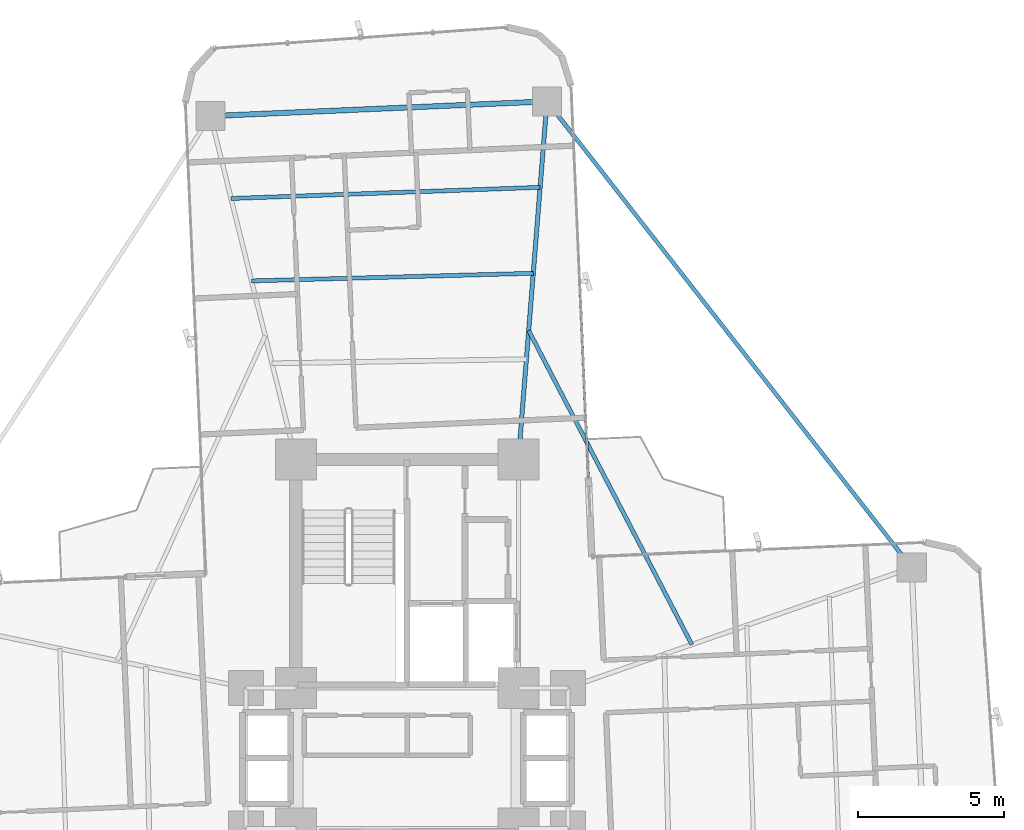
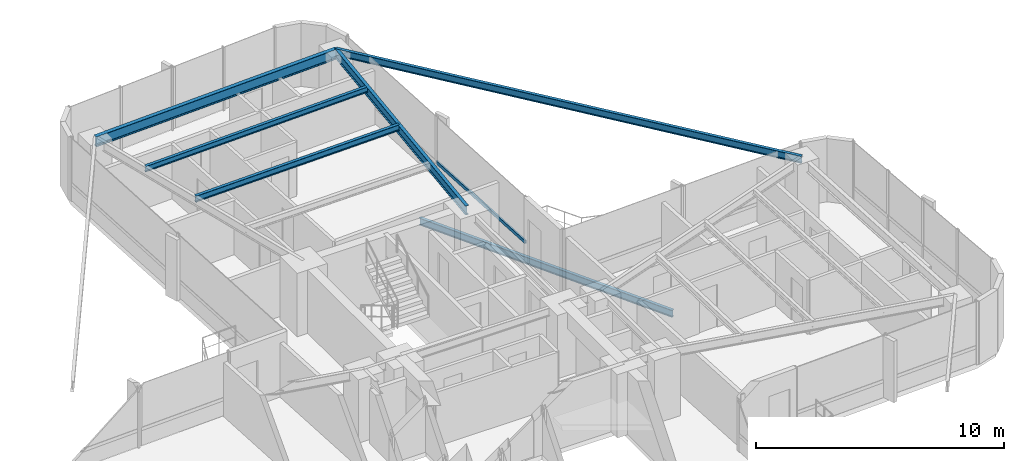
# One storey, part 18 of 26: 6 beams, 1 member, 1 element without a shape of its own.
"""IFC4 building model written with IfcOpenShell, lengths in metres."""

import ifcopenshell
import ifcopenshell.guid

model = None  # the IFC model being written
_history = None  # IfcOwnerHistory: only IFC2X3 demands one
_inside = {}  # id of a spatial element -> (the spatial element, [elements in it])
_under = {}  # id of a project, library or spatial element -> (it, [spatial elements below it])
_declared = {}  # id of a project -> (the project, [libraries it declares])
_typed = {}  # id of a type object -> (the type object, [elements of that type])
_made_of = {}  # id of a material, layer set ... -> (it, [elements and type objects made of it])


def new_model(schema):
    """Start an empty IFC model of exactly this schema.

    Asked for "IFC4X3", IfcOpenShell would pick the latest addendum, in which some entities
    have other attributes; the version numbers below select the first issue.
    IFC2X3 requires an IfcOwnerHistory on every rooted entity: one is made here for all.
    """
    global model, _history
    if schema == "IFC4X3":
        model = ifcopenshell.file(schema_version=(4, 3, 0, 0))
    else:
        model = ifcopenshell.file(schema=schema)
    _inside.clear()
    _under.clear()
    _declared.clear()
    _typed.clear()
    _made_of.clear()
    _history = None
    if model.schema == "IFC2X3":
        org = make("IfcOrganization", Name="unknown")
        user = make(
            "IfcPersonAndOrganization",
            ThePerson=make("IfcPerson", FamilyName="unknown"),
            TheOrganization=org,
        )
        app = make(
            "IfcApplication",
            ApplicationDeveloper=org,
            Version="unknown",
            ApplicationFullName="unknown",
            ApplicationIdentifier="unknown",
        )
        _history = make(
            "IfcOwnerHistory",
            OwningUser=user,
            OwningApplication=app,
            ChangeAction="ADDED",
            CreationDate=0,
        )
    return model


def make(cls, **values):
    """One entity of the class cls with the attributes given. An attribute that is None is left unset."""
    return model.create_entity(
        cls, **{name: value for name, value in values.items() if value is not None}
    )


def rooted(cls, **values):
    """An entity with a GlobalId (a new one), such as an element, a storey or a relation."""
    return make(cls, GlobalId=ifcopenshell.guid.new(), OwnerHistory=_history, **values)


def si_unit(unit_type, name, prefix=None):
    """IfcSIUnit, for example si_unit("LENGTHUNIT", "METRE", prefix="MILLI")."""
    return make("IfcSIUnit", UnitType=unit_type, Prefix=prefix, Name=name)


def assignment(units):
    """IfcUnitAssignment: the units of a project."""
    return None if units is None else make("IfcUnitAssignment", Units=units)


def point(xyz):
    """IfcCartesianPoint."""
    return None if xyz is None else make("IfcCartesianPoint", Coordinates=xyz)


def direction(xyz):
    """IfcDirection."""
    return None if xyz is None else make("IfcDirection", DirectionRatios=xyz)


def frame(location, z_axis=None, x_axis=None):
    """IfcAxis2Placement3D, a coordinate frame: its origin and axes. An axis left out is left unset."""
    return make(
        "IfcAxis2Placement3D",
        Location=point(location),
        Axis=direction(z_axis),
        RefDirection=direction(x_axis),
    )


def frame_2d(location, x_axis=None):
    """IfcAxis2Placement2D, a coordinate frame in the plane: its origin and x axis."""
    return make(
        "IfcAxis2Placement2D", Location=point(location), RefDirection=direction(x_axis)
    )


def origin():
    """The frame at (0, 0, 0) with its axes left unset."""
    return frame((0.0, 0.0, 0.0))


def origin_2d():
    """The frame at (0, 0) in the plane with its x axis left unset."""
    return frame_2d((0.0, 0.0))


def place(relative_to, where):
    """IfcLocalPlacement: puts the frame where relative to a parent placement (None: the world)."""
    return make(
        "IfcLocalPlacement", PlacementRelTo=relative_to, RelativePlacement=where
    )


def context(
    kind, dimensions, precision=None, world=None, true_north=None, identifier=None
):
    """IfcGeometricRepresentationContext, for example the 3D "Model" context."""
    return make(
        "IfcGeometricRepresentationContext",
        ContextIdentifier=identifier,
        ContextType=kind,
        CoordinateSpaceDimension=dimensions,
        Precision=precision,
        WorldCoordinateSystem=world,
        TrueNorth=true_north,
    )


def subcontext(parent, identifier, kind, view, scale=None):
    """IfcGeometricRepresentationSubContext, for example "Body" below "Model"."""
    return make(
        "IfcGeometricRepresentationSubContext",
        ContextIdentifier=identifier,
        ContextType=kind,
        ParentContext=parent,
        TargetScale=scale,
        TargetView=view,
    )


def project(units=None, contexts=None):
    """IfcProject with its units and contexts."""
    return rooted(
        "IfcProject",
        Name="project",
        RepresentationContexts=contexts,
        UnitsInContext=assignment(units),
    )


def spatial(cls, under=None, at=None, **own):
    """A site, building, storey or space (cls), placed at a placement, below another one or the project."""
    s = rooted(cls, ObjectPlacement=at, **own)
    if under is not None:
        _under.setdefault(under.id(), (under, []))[1].append(s)
    return s


def profile(cls, at=None, kind="AREA", **sizes):
    """A parametric profile (cls). Its sizes go by their IFC names, for example OverallWidth=200.0."""
    return make(cls, ProfileType=kind, Position=at, **sizes)


def hollow_rectangle(**sizes):
    """IfcRectangleHollowProfileDef."""
    return profile("IfcRectangleHollowProfileDef", **sizes)


def i_section(**sizes):
    """IfcIShapeProfileDef."""
    return profile("IfcIShapeProfileDef", **sizes)


def extrude(swept, where, along, depth):
    """IfcExtrudedAreaSolid: the profile swept, set in the frame where, extruded along a direction by depth."""
    return make(
        "IfcExtrudedAreaSolid",
        SweptArea=swept,
        Position=where,
        ExtrudedDirection=direction(along),
        Depth=depth,
    )


def shape(context_of_items, identifier, shape_type, items):
    """IfcShapeRepresentation: the items that make up one representation, for example the "Body"."""
    return make(
        "IfcShapeRepresentation",
        ContextOfItems=context_of_items,
        RepresentationIdentifier=identifier,
        RepresentationType=shape_type,
        Items=items,
    )


def source(mapping_origin, context_of_items, identifier, shape_type, items):
    """IfcRepresentationMap: a shape defined once, which mapped items show again and again."""
    return make(
        "IfcRepresentationMap",
        MappingOrigin=mapping_origin,
        MappedRepresentation=shape(context_of_items, identifier, shape_type, items),
    )


def transform(
    local_origin,
    x_axis=None,
    y_axis=None,
    z_axis=None,
    scale=None,
    scale2=None,
    scale3=None,
    uniform=True,
):
    """IfcCartesianTransformationOperator3D, or its non-uniform kind. x_axis, y_axis, z_axis: its Axis1, 2, 3."""
    if uniform:
        return make(
            "IfcCartesianTransformationOperator3D",
            Axis1=direction(x_axis),
            Axis2=direction(y_axis),
            LocalOrigin=point(local_origin),
            Scale=scale,
            Axis3=direction(z_axis),
        )
    return make(
        "IfcCartesianTransformationOperator3DnonUniform",
        Axis1=direction(x_axis),
        Axis2=direction(y_axis),
        LocalOrigin=point(local_origin),
        Scale=scale,
        Axis3=direction(z_axis),
        Scale2=scale2,
        Scale3=scale3,
    )


def mapped(mapping_source, mapping_target):
    """IfcMappedItem: shows the shape of a source again, moved by a transform."""
    return make(
        "IfcMappedItem", MappingSource=mapping_source, MappingTarget=mapping_target
    )


def material(Name=None, Category=None):
    """IfcMaterial."""
    return make("IfcMaterial", Name=Name, Category=Category)


def material_profile(
    of_material, cross_section, Name=None, Category=None, Priority=None
):
    """IfcMaterialProfile: a cross section and its material."""
    return make(
        "IfcMaterialProfile",
        Name=Name,
        Material=of_material,
        Profile=cross_section,
        Priority=Priority,
        Category=Category,
    )


def profile_set(profiles, Name=None, composite=None):
    """IfcMaterialProfileSet."""
    return make(
        "IfcMaterialProfileSet",
        Name=Name,
        MaterialProfiles=profiles,
        CompositeProfile=composite,
    )


def made_of(thing, what):
    """Note that an element or type object is made of a material, layer set ...; save() writes the relation."""
    if what is not None:
        _made_of.setdefault(what.id(), (what, []))[1].append(thing)
    return thing


def type_object(cls, material=None, **own):
    """A type object (cls), such as IfcWallType, which elements share."""
    return made_of(rooted(cls, **own), material)


def element(
    cls,
    number,
    at=None,
    inside=None,
    cuts=None,
    type_object=None,
    material=None,
    context=None,
    identifier="Body",
    shape_type=None,
    held_by="IfcProductDefinitionShape",
    body=None,
    shapes=None,
    **own,
):
    """One element of the class cls, such as IfcWall. Its Tag is "e" and its number.

    at: its placement. inside: the storey or other place that contains it. cuts: it is an
    opening in that element (IfcRelVoidsElement). A single representation is given by context,
    identifier, shape_type and body (its items); several are given by shapes. held_by: the class
    of the entity that holds the representations. save() writes the other relations.
    """
    e = rooted(cls, Tag="e%d" % number, ObjectPlacement=at, **own)
    if body is not None:
        shapes = [shape(context, identifier, shape_type, body)]
    if shapes is not None:
        e.Representation = make(held_by, Representations=shapes)
    if inside is not None:
        _inside.setdefault(inside.id(), (inside, []))[1].append(e)
    if cuts is not None:
        rooted(
            "IfcRelVoidsElement", RelatingBuildingElement=cuts, RelatedOpeningElement=e
        )
    if type_object is not None:
        _typed.setdefault(type_object.id(), (type_object, []))[1].append(e)
    return made_of(e, material)


def aggregate(whole, parts):
    """IfcRelAggregates: a whole, such as a stair, and the parts it consists of."""
    return rooted("IfcRelAggregates", RelatingObject=whole, RelatedObjects=parts)


def save(model, path):
    """Write the relations noted so far, then the file.

    IfcRelAggregates (storeys below a building ...), IfcRelContainedInSpatialStructure (elements
    in a storey), IfcRelDefinesByType, IfcRelAssociatesMaterial and IfcRelDeclares: one each for
    every whole, place, type object, material and project.
    """
    for whole, parts in _under.values():
        aggregate(whole, parts)
    for where, things in _inside.values():
        rooted(
            "IfcRelContainedInSpatialStructure",
            RelatedElements=things,
            RelatingStructure=where,
        )
    for kind, things in _typed.values():
        rooted("IfcRelDefinesByType", RelatedObjects=things, RelatingType=kind)
    for what, things in _made_of.values():
        rooted("IfcRelAssociatesMaterial", RelatedObjects=things, RelatingMaterial=what)
    for by, libraries in _declared.values():
        rooted("IfcRelDeclares", RelatingContext=by, RelatedDefinitions=libraries)
    model.write(path)


model = new_model("IFC4")

# Units and contexts
model_context = context("Model", 3, precision=1e-05, world=origin(), true_north=direction((0.0, 1.0)))
body_context = subcontext(model_context, "Body", "Model", "MODEL_VIEW")
ifc_project = project(units=[si_unit("LENGTHUNIT", "METRE"), si_unit("AREAUNIT", "SQUARE_METRE"), si_unit("VOLUMEUNIT", "CUBIC_METRE"), si_unit("PLANEANGLEUNIT", "RADIAN"), si_unit("MASSUNIT", "GRAM", prefix="KILO")], contexts=[model_context])

# Site, building, storey
site_placement = place(None, origin())
site = spatial("IfcSite", under=ifc_project, at=site_placement, CompositionType="ELEMENT")
building_placement = place(site_placement, origin())
building = spatial("IfcBuilding", under=site, at=building_placement, Name="Sahyath Konkavel Grand Hotel", CompositionType="ELEMENT")
storey_placement = place(building_placement, frame((0.0, 0.0, 114.800048828125)))
storey = spatial("IfcBuildingStorey", under=building, at=storey_placement, Name="L31", CompositionType="ELEMENT", Elevation=114.800048828125)

# Beams
ifc_material_1 = material(Name="Steel E350", Category="steel")
ifc_material_profile_1 = material_profile(ifc_material_1, i_section(OverallWidth=0.14990234375, OverallDepth=0.449951171875, WebThickness=0.009521484375, FlangeThickness=0.017333984375, FilletRadius=0.014892578125, at=origin_2d()), Name="ISMB 450")
ifc_profile_set_1 = profile_set([ifc_material_profile_1], Name="Steel E350")
beam_type_1 = type_object("IfcBeamType", Name="BM-ISMB450", PredefinedType="BEAM", material=ifc_profile_set_1)
shared_shape_1 = source(origin(), body_context, "Body", "SweptSolid", [
    extrude(i_section(OverallWidth=0.14990234375, OverallDepth=0.449951171875, WebThickness=0.009521484375, FlangeThickness=0.017333984375, FilletRadius=0.014892578125, at=origin_2d()), origin(), (0.0, 0.0, 1.0), 12.2685546875),
])
beam_1_placement = place(storey_placement, frame((3.800048828125, 10.199951171875, 2.885009765625), z_axis=(0.079558563357, 0.996830193662, 0.0), x_axis=(-0.996830193662, 0.079558563357, 0.0)))
element("IfcBeam", 1, at=beam_1_placement, inside=storey, type_object=beam_type_1, Name="L31 Cruciform Radial Girder NA", PredefinedType="BEAM", context=body_context, shape_type="MappedRepresentation", body=[
    mapped(shared_shape_1, transform((0.0, 0.0, 0.0), scale=1.0)),
])
ifc_material_profile_2 = material_profile(ifc_material_1, i_section(OverallWidth=0.179931640625, OverallDepth=0.5, WebThickness=0.01025390625, FlangeThickness=0.01708984375, FilletRadius=0.01708984375, at=origin_2d()), Name="ISMB 500")
ifc_profile_set_2 = profile_set([ifc_material_profile_2], Name="Steel E350")
beam_type_2 = type_object("IfcBeamType", Name="BM-ISMB500", PredefinedType="BEAM", material=ifc_profile_set_2)
shared_shape_2 = source(origin(), body_context, "Body", "SweptSolid", [
    extrude(i_section(OverallWidth=0.179931640625, OverallDepth=0.5, WebThickness=0.01025390625, FlangeThickness=0.01708984375, FilletRadius=0.01708984375, at=origin_2d()), origin(), (0.0, 0.0, 1.0), 11.5),
])
beam_2_placement = place(storey_placement, frame((4.776123046875, 22.4296875, 2.85986328125), z_axis=(-0.99904788879, -0.043627008892, 0.0), x_axis=(0.043627008892, -0.99904788879, 0.0)))
element("IfcBeam", 2, at=beam_2_placement, inside=storey, type_object=beam_type_2, Name="L31 Wing Tip Edge Beam N", PredefinedType="BEAM", context=body_context, shape_type="MappedRepresentation", body=[
    mapped(shared_shape_2, transform((0.0, 0.0, 0.0), scale=1.0)),
])
ifc_material_profile_3 = material_profile(ifc_material_1, i_section(OverallWidth=0.139892578125, OverallDepth=0.35009765625, WebThickness=0.008056640625, FlangeThickness=0.01416015625, FilletRadius=0.013916015625, at=origin_2d()), Name="ISMB 350")
ifc_profile_set_3 = profile_set([ifc_material_profile_3], Name="Steel E350")
beam_type_3 = type_object("IfcBeamType", Name="BM-ISMB350", PredefinedType="BEAM", material=ifc_profile_set_3)
shared_shape_3 = source(origin(), body_context, "Body", "SweptSolid", [
    extrude(i_section(OverallWidth=0.139892578125, OverallDepth=0.35009765625, WebThickness=0.008056640625, FlangeThickness=0.01416015625, FilletRadius=0.013916015625, at=origin_2d()), origin(), (0.0, 0.0, 1.0), 20.215576171875),
])
beam_3_placement = place(storey_placement, frame((17.232421875, 6.5078125, 2.93505859375), z_axis=(-0.616176369687, 0.787608203004, 0.0), x_axis=(-0.787608203004, -0.616176369687, 0.0)))
element("IfcBeam", 3, at=beam_3_placement, inside=storey, type_object=beam_type_3, Name="L31 Re-Entrant Tie Beam NE", PredefinedType="BEAM", context=body_context, shape_type="MappedRepresentation", body=[
    mapped(shared_shape_3, transform((0.0, 0.0, 0.0), scale=1.0)),
])
ifc_material_profile_4 = material_profile(ifc_material_1, i_section(OverallWidth=0.139892578125, OverallDepth=0.300048828125, WebThickness=0.0078125, FlangeThickness=0.01318359375, FilletRadius=0.013916015625, at=origin_2d()), Name="ISMB 300")
ifc_profile_set_4 = profile_set([ifc_material_profile_4], Name="Steel E350")
beam_type_4 = type_object("IfcBeamType", Name="BM-ISMB300", PredefinedType="BEAM", material=ifc_profile_set_4)
shared_shape_4 = source(origin(), body_context, "Body", "SweptSolid", [
    extrude(i_section(OverallWidth=0.139892578125, OverallDepth=0.300048828125, WebThickness=0.0078125, FlangeThickness=0.01318359375, FilletRadius=0.013916015625, at=origin_2d()), origin(), (0.0, 0.0, 1.0), 9.625732421875),
])
beam_4_placement = place(storey_placement, frame((4.3076171875, 16.559326171875, 2.9599609375), z_axis=(-0.999633060528, -0.027087714933, 0.0), x_axis=(0.027087714933, -0.999633060528, 0.0)))
element("IfcBeam", 4, at=beam_4_placement, inside=storey, type_object=beam_type_4, Name="L31 Secondary Floor Beam N-2", PredefinedType="BEAM", context=body_context, shape_type="MappedRepresentation", body=[
    mapped(shared_shape_4, transform((0.0, 0.0, 0.0), scale=1.0)),
])
ifc_material_profile_5 = material_profile(ifc_material_1, i_section(OverallWidth=0.139892578125, OverallDepth=0.27490234375, WebThickness=0.00634765625, FlangeThickness=0.0087890625, FilletRadius=0.012939453125, at=origin_2d()), Name="ISLB 275")
ifc_profile_set_5 = profile_set([ifc_material_profile_5], Name="Steel E350")
beam_type_5 = type_object("IfcBeamType", Name="BM-ISLB275", PredefinedType="BEAM", material=ifc_profile_set_5)
shared_shape_5 = source(origin(), body_context, "Body", "SweptSolid", [
    extrude(i_section(OverallWidth=0.139892578125, OverallDepth=0.27490234375, WebThickness=0.00634765625, FlangeThickness=0.0087890625, FilletRadius=0.012939453125, at=origin_2d()), origin(), (0.0, 0.0, 1.0), 10.562744140625),
])
beam_5_placement = place(storey_placement, frame((4.5419921875, 19.49462890625, 2.972412109375), z_axis=(-0.999348077295, -0.036102914095, 0.0), x_axis=(0.036102914095, -0.999348077295, 0.0)))
element("IfcBeam", 5, at=beam_5_placement, inside=storey, type_object=beam_type_5, Name="L31 Secondary Floor Beam N-3", PredefinedType="BEAM", context=body_context, shape_type="MappedRepresentation", body=[
    mapped(shared_shape_5, transform((0.0, 0.0, 0.0), scale=1.0)),
])

# Curtain wall, member
ifc_material_2 = material(Name="Anodised Bronze Aluminium & Low-E Glazing", Category="aluminium")
curtain_wall_type = type_object("IfcCurtainWallType", Name="CW-ZONE2", PredefinedType="NOTDEFINED", material=ifc_material_2)
curtain_wall_placement = place(storey_placement, origin())
curtain_wall = element("IfcCurtainWall", 6, at=curtain_wall_placement, inside=storey, type_object=curtain_wall_type, Name="L31 Unitised Curtain Wall F8", PredefinedType="NOTDEFINED")
ifc_material_3 = material(Name="Anodised Bronze Aluminium", Category="aluminium")
ifc_material_profile_6 = material_profile(ifc_material_3, hollow_rectangle(XDim=0.080078125, YDim=0.159912109375, WallThickness=0.006103515625, at=origin_2d()), Name="RHS 160x80x6")
ifc_profile_set_6 = profile_set([ifc_material_profile_6], Name="Anodised Bronze Aluminium")
member_type = type_object("IfcMemberType", Name="CW-TRN-160", PredefinedType="USERDEFINED", material=ifc_profile_set_6)
shared_shape_6 = source(origin(), body_context, "Body", "SweptSolid", [
    extrude(hollow_rectangle(XDim=0.080078125, YDim=0.159912109375, WallThickness=0.006103515625, at=origin_2d()), origin(), (0.0, 0.0, 1.0), 6.66015625),
])
member_placement = place(storey_placement, frame((6.186279296875, 9.618896484375, 0.849853515625), z_axis=(-0.043621753165, 0.999048118286, 0.0), x_axis=(-0.999048118286, -0.043621753165, 0.0)))
member = element("IfcMember", 7, at=member_placement, type_object=member_type, Name="L31 Curtain Wall Transom F8-0-spandrel", ObjectType="TRANSOM", PredefinedType="USERDEFINED", context=body_context, shape_type="MappedRepresentation", body=[
    mapped(shared_shape_6, transform((0.0, 0.0, 0.0), scale=1.0)),
])
aggregate(curtain_wall, [member])

# Beam
ifc_material_profile_7 = material_profile(ifc_material_1, i_section(OverallWidth=0.139892578125, OverallDepth=0.35009765625, WebThickness=0.008056640625, FlangeThickness=0.01416015625, FilletRadius=0.013916015625, at=origin_2d()), Name="ISMB 350")
ifc_profile_set_7 = profile_set([ifc_material_profile_7], Name="Steel E350")
beam_type_6 = type_object("IfcBeamType", Name="BM-BALC-CANT", PredefinedType="BEAM", material=ifc_profile_set_7)
shared_shape_7 = source(origin(), body_context, "Body", "SweptSolid", [
    extrude(i_section(OverallWidth=0.139892578125, OverallDepth=0.35009765625, WebThickness=0.008056640625, FlangeThickness=0.01416015625, FilletRadius=0.013916015625, at=origin_2d()), origin(), (0.0, 0.0, 1.0), 12.085205078125),
])
beam_6_placement = place(storey_placement, frame((9.7236328125, 3.87890625, -0.4150390625), z_axis=(-0.461082384626, 0.887357331962, 0.0), x_axis=(-0.887357331962, -0.461082384626, 0.0)))
element("IfcBeam", 8, at=beam_6_placement, inside=storey, type_object=beam_type_6, Name="L31 Balcony Cantilever Support Beam NE", PredefinedType="BEAM", context=body_context, shape_type="MappedRepresentation", body=[
    mapped(shared_shape_7, transform((0.0, 0.0, 0.0), scale=1.0)),
])

save(model, "model.ifc")
